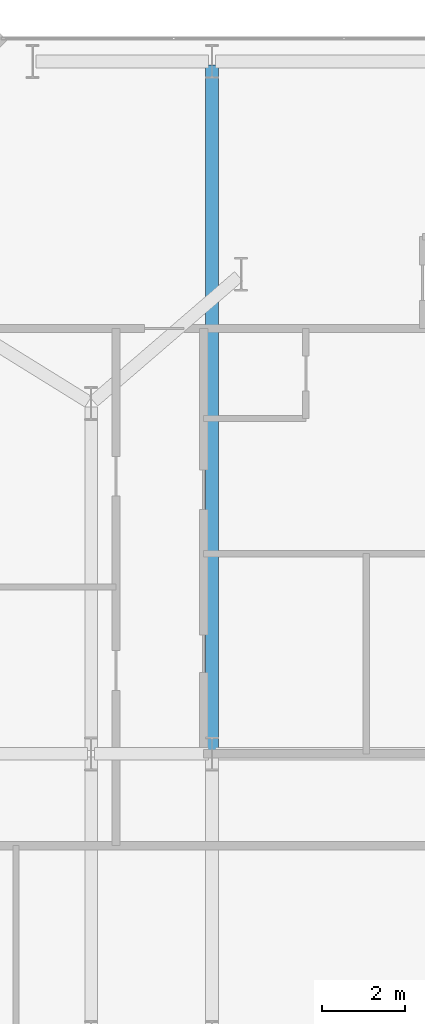
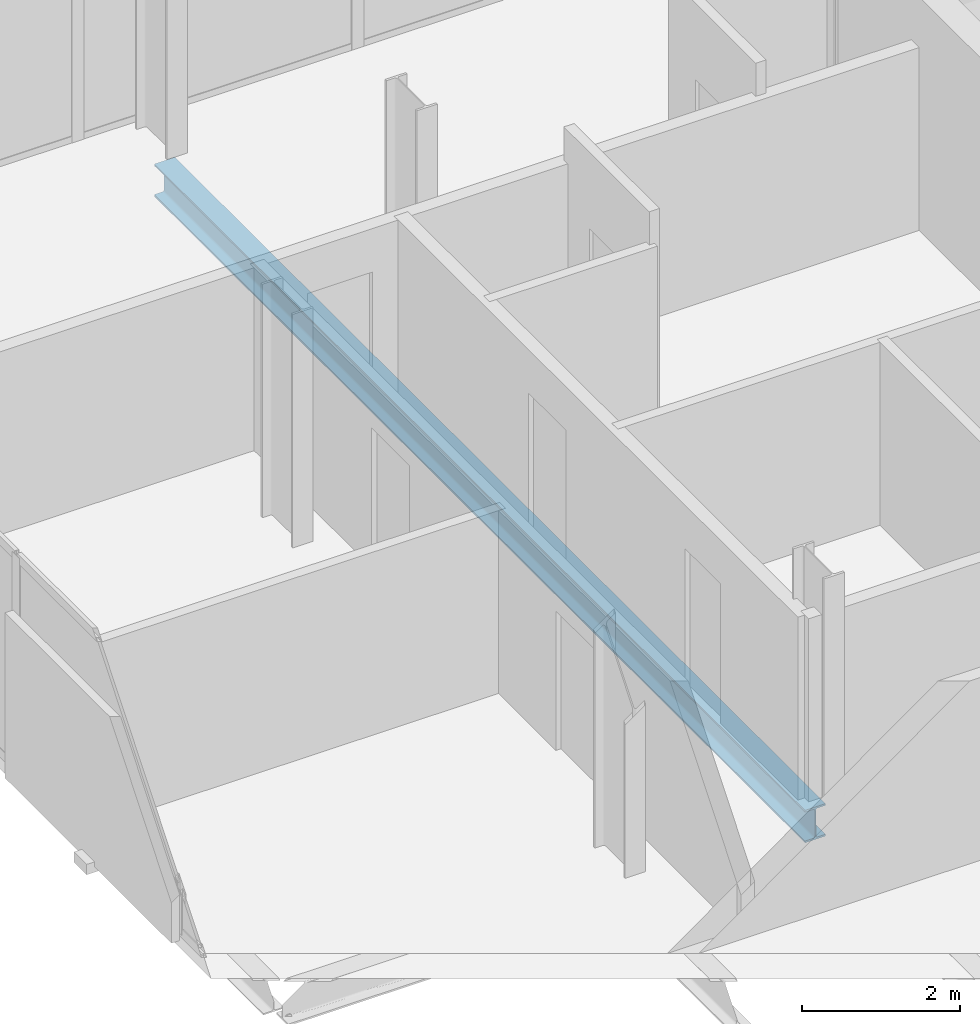
# One storey, part 19 of 33: 1 beam.
"""IFC4 building model written with IfcOpenShell, lengths in metres."""

from ifc_helpers import new_model, si_unit, direction, frame, origin, origin_2d, place, context, subcontext, project, spatial, i_section, extrude, material, material_profile, profile_set, type_object, element, save


model = new_model("IFC4")

# Units and contexts
model_context = context("Model", 3, precision=1e-05, world=origin(), true_north=direction((0.0, 1.0)))
body_context = subcontext(model_context, "Body", "Model", "MODEL_VIEW")
ifc_project = project(units=[si_unit("LENGTHUNIT", "METRE"), si_unit("AREAUNIT", "SQUARE_METRE"), si_unit("VOLUMEUNIT", "CUBIC_METRE"), si_unit("PLANEANGLEUNIT", "RADIAN"), si_unit("MASSUNIT", "GRAM", prefix="KILO")], contexts=[model_context])

# Site, building, storey
site_placement = place(None, origin())
site = spatial("IfcSite", under=ifc_project, at=site_placement, CompositionType="ELEMENT")
building_placement = place(site_placement, origin())
building = spatial("IfcBuilding", under=site, at=building_placement, Name="Catumbela Crestline Tower", CompositionType="ELEMENT")
storey_placement = place(building_placement, frame((0.0, 0.0, 51.0)))
storey = spatial("IfcBuildingStorey", under=building, at=storey_placement, Name="L12", CompositionType="ELEMENT", Elevation=51.0)

# Beam
ifc_material = material(Name="Structural steel S355J2", Category="steel")
ifc_material_profile = material_profile(ifc_material, i_section(OverallWidth=0.3, OverallDepth=0.5, WebThickness=0.0145, FlangeThickness=0.028, FilletRadius=0.027, at=origin_2d()), Name="HEB 500")
ifc_profile_set = profile_set([ifc_material_profile], Name="Structural steel S355J2")
beam_type = type_object("IfcBeamType", Name="BG-HEB500", PredefinedType="BEAM", material=ifc_profile_set)
beam_placement = place(storey_placement, frame((8.5, 30.88, -0.51), z_axis=(0.0, 1.0, 0.0), x_axis=(-1.0, 0.0, 0.0)))
element("IfcBeam", 1, at=beam_placement, inside=storey, type_object=beam_type, Name="L12 Beam BM-L12-SN30", PredefinedType="BEAM", context=body_context, shape_type="SweptSolid", body=[
    extrude(i_section(OverallWidth=0.3, OverallDepth=0.5, WebThickness=0.0145, FlangeThickness=0.028, FilletRadius=0.027, at=origin_2d()), origin(), (0.0, 0.0, 1.0), 16.44),
])

save(model, "model.ifc")
